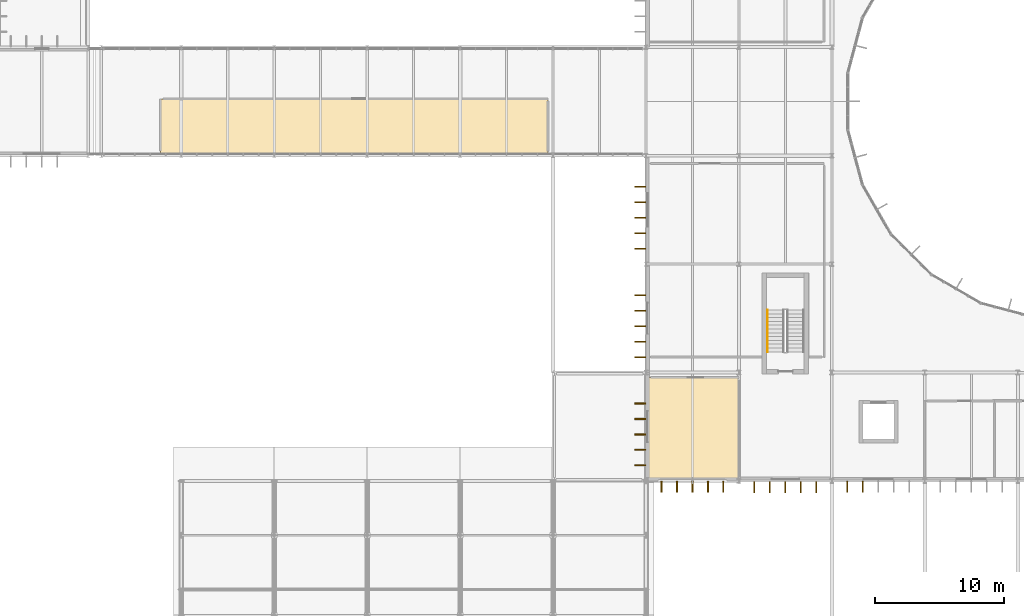
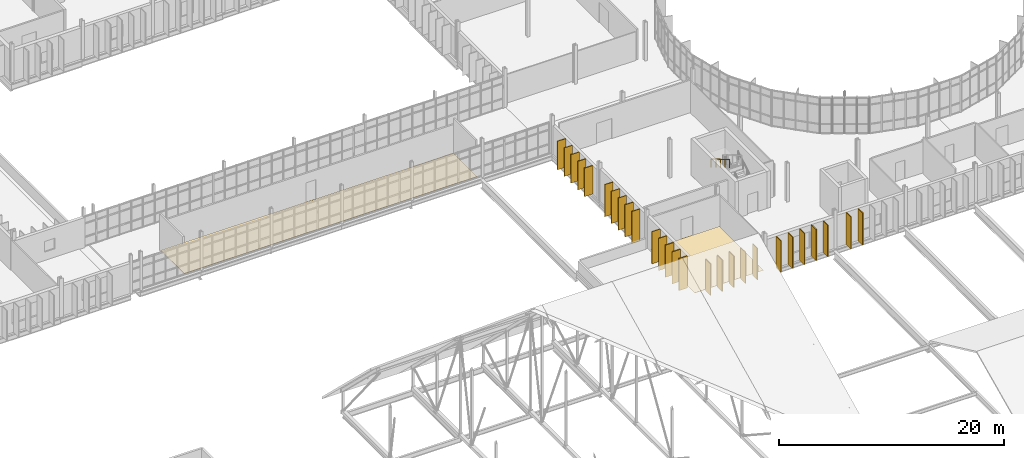
# One storey, part 87 of 99: 27 shading devices, 2 coverings, 1 railing.
"""IFC4 building model written with IfcOpenShell, lengths in metres."""

from ifc_helpers import new_model, si_unit, direction, frame, origin, origin_2d, place, context, subcontext, project, spatial, polyline, rectangle, circle, outline, extrude, material, layer, layer_set, type_object, element, save


model = new_model("IFC4")

# Units and contexts
model_context = context("Model", 3, precision=1e-05, world=origin(), true_north=direction((0.0, 1.0)))
body_context = subcontext(model_context, "Body", "Model", "MODEL_VIEW")
ifc_project = project(units=[si_unit("LENGTHUNIT", "METRE"), si_unit("AREAUNIT", "SQUARE_METRE"), si_unit("VOLUMEUNIT", "CUBIC_METRE"), si_unit("PLANEANGLEUNIT", "RADIAN"), si_unit("MASSUNIT", "GRAM", prefix="KILO")], contexts=[model_context])

# Site, building, storey
site_placement = place(None, origin())
site = spatial("IfcSite", under=ifc_project, at=site_placement, CompositionType="ELEMENT")
building_placement = place(site_placement, origin())
building = spatial("IfcBuilding", under=site, at=building_placement, Name="Qelthora Terrace Specialist Clinic", CompositionType="ELEMENT")
storey_placement = place(building_placement, frame((0.0, 0.0, 9.0)))
storey = spatial("IfcBuildingStorey", under=building, at=storey_placement, Name="L02", CompositionType="ELEMENT", Elevation=9.0)

# Coverings
ifc_material_1 = material(Name="Antimicrobial clinical linoleum flooring", Category="other")
ifc_layer = layer(ifc_material_1, 0.011962890625)
ifc_layer_set = layer_set([ifc_layer], Name="Antimicrobial clinical linoleum flooring")
covering_type = type_object("IfcCoveringType", Name="COV-FLR-LINO-12", PredefinedType="FLOORING", material=ifc_layer_set)
covering_1_placement = place(storey_placement, origin())
element("IfcCovering", 1, at=covering_1_placement, inside=storey, type_object=covering_type, Name="Endocrinology Sub-Specialty Room L02-30 resilient linoleum flooring", PredefinedType="FLOORING", context=body_context, shape_type="SweptSolid", body=[
    extrude(outline(polyline([(93.75, 33.75), (93.75, 41.60009765625), (100.800048828125, 41.60009765625), (100.800048828125, 33.75), (93.75, 33.75)])), origin(), (0.0, 0.0, 1.0), 0.011962890625),
])
covering_2_placement = place(storey_placement, origin())
element("IfcCovering", 2, at=covering_2_placement, inside=storey, type_object=covering_type, Name="Skybridge Clinical Consultation Alcoves L02-43 resilient linoleum flooring", PredefinedType="FLOORING", context=body_context, shape_type="SweptSolid", body=[
    extrude(outline(polyline([(56.0, 59.0), (56.0, 63.199951171875), (86.0, 63.199951171875), (86.0, 59.0), (56.0, 59.0)])), origin(), (0.0, 0.0, 1.0), 0.011962890625),
])

# Railing
ifc_material_2 = material(Name="Steel S355", Category="steel")
railing_type = type_object("IfcRailingType", Name="RAL-HR-900-S355", PredefinedType="HANDRAIL", material=ifc_material_2)
railing_placement = place(storey_placement, frame((103.0, 46.844970703125, 2.468017578125)))
element("IfcRailing", 3, at=railing_placement, inside=storey, type_object=railing_type, Name="L02 ST-05 stair handrail 2", PredefinedType="HANDRAIL", context=body_context, shape_type="SweptSolid", body=[
    extrude(circle(Radius=0.02392578125, at=origin_2d()), frame((0.0, 0.0, 0.8759765625), z_axis=(0.0, -0.860040215814, 0.510226250974), x_axis=(1.0, 0.0, 0.0)), (0.0, 0.0, 1.0), 3.77294921875),
    extrude(circle(Radius=0.02099609375, at=origin_2d()), origin(), (0.0, 0.0, 1.0), 0.851806640625),
    extrude(circle(Radius=0.02099609375, at=origin_2d()), frame((0.0, -0.811279296875, 0.481201171875)), (0.0, 0.0, 1.0), 0.851806640625),
    extrude(circle(Radius=0.02099609375, at=origin_2d()), frame((0.0, -1.62255859375, 0.96240234375)), (0.0, 0.0, 1.0), 0.851806640625),
    extrude(circle(Radius=0.02099609375, at=origin_2d()), frame((0.0, -2.43359375, 1.44384765625)), (0.0, 0.0, 1.0), 0.851806640625),
    extrude(circle(Radius=0.02099609375, at=origin_2d()), frame((0.0, -3.244873046875, 1.925048828125)), (0.0, 0.0, 1.0), 0.851806640625),
])

# Shading devices
ifc_material_3 = material(Name="Glulam timber GL28h", Category="wood")
shading_device_type = type_object("IfcShadingDeviceType", Name="SHD-FIN-850", PredefinedType="USERDEFINED", material=ifc_material_3)
for number, where, z_axis, x_axis, name in (
    (4, (94.800048828125, 33.1650390625, 0.0), (0.0, 0.0, 1.0), (0.0, -1.0, 0.0), "Exterior solar shading fin FIN-1334"),
    (5, (96.0, 33.1650390625, 0.0), (0.0, 0.0, 1.0), (0.0, -1.0, 0.0), "Exterior solar shading fin FIN-1335"),
    (6, (97.199951171875, 33.1650390625, 0.0), (0.0, 0.0, 1.0), (0.0, -1.0, 0.0), "Exterior solar shading fin FIN-1336"),
    (7, (98.39990234375, 33.1650390625, 0.0), (0.0, 0.0, 1.0), (0.0, -1.0, 0.0), "Exterior solar shading fin FIN-1337"),
    (8, (99.60009765625, 33.1650390625, 0.0), (0.0, 0.0, 1.0), (0.0, -1.0, 0.0), "Exterior solar shading fin FIN-1338"),
    (9, (102.0, 33.10498046875, 0.0), (0.0, 0.0, 1.0), (0.0, -1.0, 0.0), "Exterior solar shading fin FIN-1339"),
    (10, (103.199951171875, 33.10498046875, 0.0), (0.0, 0.0, 1.0), (0.0, -1.0, 0.0), "Exterior solar shading fin FIN-1340"),
    (11, (104.39990234375, 33.10498046875, 0.0), (0.0, 0.0, 1.0), (0.0, -1.0, 0.0), "Exterior solar shading fin FIN-1341"),
    (12, (105.60009765625, 33.10498046875, 0.0), (0.0, 0.0, 1.0), (0.0, -1.0, 0.0), "Exterior solar shading fin FIN-1342"),
    (13, (106.800048828125, 33.10498046875, 0.0), (0.0, 0.0, 1.0), (0.0, -1.0, 0.0), "Exterior solar shading fin FIN-1343"),
):
    element("IfcShadingDevice", number, at=place(storey_placement, frame(where, z_axis=z_axis, x_axis=x_axis)), inside=storey, type_object=shading_device_type, Name=name, ObjectType="FIN", PredefinedType="USERDEFINED", context=body_context, shape_type="SweptSolid", body=[
        extrude(rectangle(XDim=0.85009765625, YDim=0.080078125, at=origin_2d()), origin(), (0.0, 0.0, 1.0), 3.405029296875),
    ])
for number, where, z_axis, x_axis, name in (
    (14, (109.199951171875, 33.135009765625, 0.0), (0.0, 0.0, 1.0), (0.0, -1.0, 0.0), "Exterior solar shading fin FIN-1344"),
    (15, (110.39990234375, 33.135009765625, 0.0), (0.0, 0.0, 1.0), (0.0, -1.0, 0.0), "Exterior solar shading fin FIN-1345"),
):
    element("IfcShadingDevice", number, at=place(storey_placement, frame(where, z_axis=z_axis, x_axis=x_axis)), inside=storey, type_object=shading_device_type, Name=name, ObjectType="FIN", PredefinedType="USERDEFINED", context=body_context, shape_type="SweptSolid", body=[
        extrude(rectangle(XDim=0.85009765625, YDim=0.080078125, at=origin_2d()), origin(), (0.0, 0.0, 1.0), 3.47607421875),
    ])
for number, where, z_axis, x_axis, name in (
    (16, (93.14501953125, 34.800048828125, 0.0), (0.0, 0.0, 1.0), (-1.0, 0.0, 0.0), "Exterior solar shading fin FIN-1371"),
    (17, (93.14501953125, 36.0, 0.0), (0.0, 0.0, 1.0), (-1.0, 0.0, 0.0), "Exterior solar shading fin FIN-1372"),
    (18, (93.14501953125, 37.199951171875, 0.0), (0.0, 0.0, 1.0), (-1.0, 0.0, 0.0), "Exterior solar shading fin FIN-1373"),
    (19, (93.14501953125, 38.39990234375, 0.0), (0.0, 0.0, 1.0), (-1.0, 0.0, 0.0), "Exterior solar shading fin FIN-1374"),
    (20, (93.14501953125, 39.60009765625, 0.0), (0.0, 0.0, 1.0), (-1.0, 0.0, 0.0), "Exterior solar shading fin FIN-1375"),
    (21, (93.155029296875, 43.199951171875, 0.0), (0.0, 0.0, 1.0), (-1.0, 0.0, 0.0), "Exterior solar shading fin FIN-1376"),
    (22, (93.155029296875, 44.39990234375, 0.0), (0.0, 0.0, 1.0), (-1.0, 0.0, 0.0), "Exterior solar shading fin FIN-1377"),
    (23, (93.155029296875, 45.60009765625, 0.0), (0.0, 0.0, 1.0), (-1.0, 0.0, 0.0), "Exterior solar shading fin FIN-1378"),
    (24, (93.155029296875, 46.800048828125, 0.0), (0.0, 0.0, 1.0), (-1.0, 0.0, 0.0), "Exterior solar shading fin FIN-1379"),
    (25, (93.155029296875, 48.0, 0.0), (0.0, 0.0, 1.0), (-1.0, 0.0, 0.0), "Exterior solar shading fin FIN-1380"),
):
    element("IfcShadingDevice", number, at=place(storey_placement, frame(where, z_axis=z_axis, x_axis=x_axis)), inside=storey, type_object=shading_device_type, Name=name, ObjectType="FIN", PredefinedType="USERDEFINED", context=body_context, shape_type="SweptSolid", body=[
        extrude(rectangle(XDim=0.85009765625, YDim=0.080078125, at=origin_2d()), origin(), (0.0, 0.0, 1.0), 3.48193359375),
    ])
for number, where, z_axis, x_axis, name in (
    (26, (93.1650390625, 51.60009765625, 0.0), (0.0, 0.0, 1.0), (-1.0, 0.0, 0.0), "Exterior solar shading fin FIN-1381"),
    (27, (93.1650390625, 52.800048828125, 0.0), (0.0, 0.0, 1.0), (-1.0, 0.0, 0.0), "Exterior solar shading fin FIN-1382"),
    (28, (93.1650390625, 54.0, 0.0), (0.0, 0.0, 1.0), (-1.0, 0.0, 0.0), "Exterior solar shading fin FIN-1383"),
    (29, (93.1650390625, 55.199951171875, 0.0), (0.0, 0.0, 1.0), (-1.0, 0.0, 0.0), "Exterior solar shading fin FIN-1384"),
    (30, (93.1650390625, 56.39990234375, 0.0), (0.0, 0.0, 1.0), (-1.0, 0.0, 0.0), "Exterior solar shading fin FIN-1385"),
):
    element("IfcShadingDevice", number, at=place(storey_placement, frame(where, z_axis=z_axis, x_axis=x_axis)), inside=storey, type_object=shading_device_type, Name=name, ObjectType="FIN", PredefinedType="USERDEFINED", context=body_context, shape_type="SweptSolid", body=[
        extrude(rectangle(XDim=0.85009765625, YDim=0.080078125, at=origin_2d()), origin(), (0.0, 0.0, 1.0), 3.091064453125),
    ])

save(model, "model.ifc")
